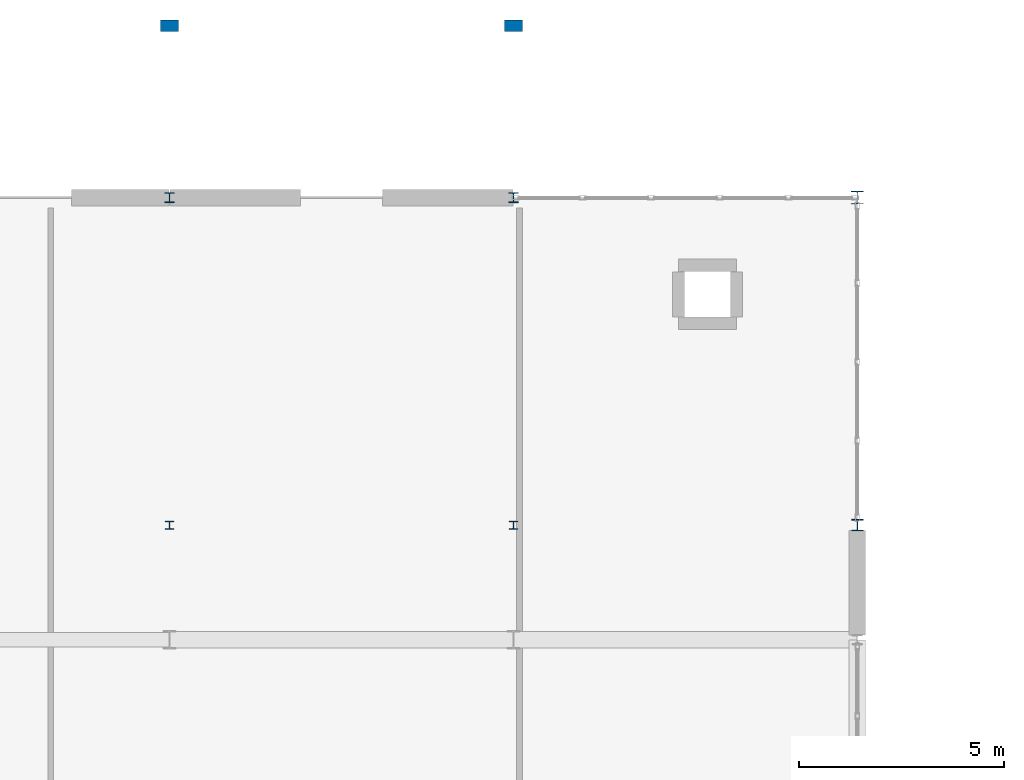
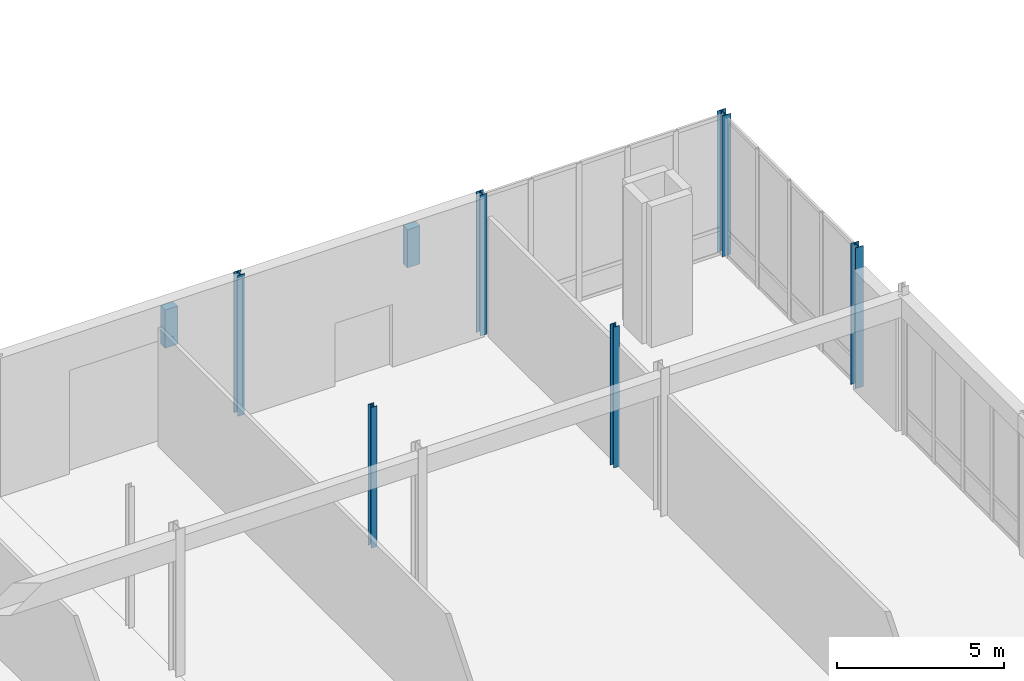
# One storey, part 15 of 169: 8 columns.
"""IFC4 building model written with IfcOpenShell, lengths in metres."""

from ifc_helpers import new_model, si_unit, direction, frame, origin, origin_2d, place, context, subcontext, project, spatial, rectangle, i_section, extrude, material, material_profile, profile_set, type_object, element, save


model = new_model("IFC4")

# Units and contexts
model_context = context("Model", 3, precision=1e-05, world=origin(), true_north=direction((0.0, 1.0)))
body_context = subcontext(model_context, "Body", "Model", "MODEL_VIEW")
ifc_project = project(units=[si_unit("LENGTHUNIT", "METRE"), si_unit("AREAUNIT", "SQUARE_METRE"), si_unit("VOLUMEUNIT", "CUBIC_METRE"), si_unit("PLANEANGLEUNIT", "RADIAN"), si_unit("MASSUNIT", "GRAM", prefix="KILO")], contexts=[model_context])

# Site, building, storey
site_placement = place(None, origin())
site = spatial("IfcSite", under=ifc_project, at=site_placement, CompositionType="ELEMENT")
building_placement = place(site_placement, origin())
building = spatial("IfcBuilding", under=site, at=building_placement, Name="Mazaris Harbour Polytechnic", CompositionType="ELEMENT")
storey_placement = place(building_placement, origin())
storey = spatial("IfcBuildingStorey", under=building, at=storey_placement, Name="L00", CompositionType="ELEMENT", Elevation=0.0)

# Columns
ifc_material_1 = material(Name="Concrete C35/45", Category="concrete")
ifc_material_profile_1 = material_profile(ifc_material_1, rectangle(XDim=0.43994140625, YDim=0.280029296875, at=origin_2d()), Name="RECT440x280")
ifc_profile_set_1 = profile_set([ifc_material_profile_1], Name="Concrete C35/45")
column_type_1 = type_object("IfcColumnType", Name="Limestone Pilaster 440x280", PredefinedType="PILASTER", material=ifc_profile_set_1)
for number, where, z_axis, x_axis, name in (
    (1, (96.0, 123.0, 0.0), (0.0, 0.0, 1.0), (1.0, 0.0, 0.0), "North Service Yard Boundary Pier 5"),
    (2, (104.39990234375, 123.0, 0.0), (0.0, 0.0, 1.0), (1.0, 0.0, 0.0), "North Service Yard Boundary Pier 6"),
):
    element("IfcColumn", number, at=place(storey_placement, frame(where, z_axis=z_axis, x_axis=x_axis)), inside=storey, type_object=column_type_1, Name=name, PredefinedType="PILASTER", context=body_context, shape_type="SweptSolid", body=[
        extrude(rectangle(XDim=0.43994140625, YDim=0.280029296875, at=origin_2d()), origin(), (0.0, 0.0, 1.0), 1.39990234375),
    ])
ifc_material_2 = material(Name="Steel S355", Category="steel")
ifc_material_profile_2 = material_profile(ifc_material_2, i_section(OverallWidth=0.199951171875, OverallDepth=0.199951171875, WebThickness=0.009033203125, FlangeThickness=0.014892578125, FilletRadius=0.01806640625, at=origin_2d()), Name="HEB 200")
ifc_profile_set_2 = profile_set([ifc_material_profile_2], Name="Steel S355")
column_type_2 = type_object("IfcColumnType", Name="Steel Column HEB200", PredefinedType="COLUMN", material=ifc_profile_set_2)
for number, where, z_axis, x_axis, name in (
    (3, (96.0, 110.800048828125, 0.0), (0.0, 0.0, 1.0), (1.0, 0.0, 0.0), "V1 L00 Column 101"),
    (4, (104.39990234375, 110.800048828125, 0.0), (0.0, 0.0, 1.0), (1.0, 0.0, 0.0), "V1 L00 Column 107"),
):
    element("IfcColumn", number, at=place(storey_placement, frame(where, z_axis=z_axis, x_axis=x_axis)), inside=storey, type_object=column_type_2, Name=name, PredefinedType="COLUMN", context=body_context, shape_type="SweptSolid", body=[
        extrude(i_section(OverallWidth=0.199951171875, OverallDepth=0.199951171875, WebThickness=0.009033203125, FlangeThickness=0.014892578125, FilletRadius=0.01806640625, at=origin_2d()), origin(), (0.0, 0.0, 1.0), 5.159912109375),
    ])
ifc_material_3 = material(Name="Steel S355", Category="steel")
ifc_material_profile_3 = material_profile(ifc_material_3, i_section(OverallWidth=0.239990234375, OverallDepth=0.239990234375, WebThickness=0.010009765625, FlangeThickness=0.01708984375, FilletRadius=0.02099609375, at=origin_2d()), Name="HEB 240")
ifc_profile_set_3 = profile_set([ifc_material_profile_3], Name="Steel S355")
column_type_3 = type_object("IfcColumnType", Name="Steel Column HEB240", PredefinedType="COLUMN", material=ifc_profile_set_3)
for number, where, z_axis, x_axis, name in (
    (5, (96.0, 118.800048828125, 0.0), (0.0, 0.0, 1.0), (1.0, 0.0, 0.0), "V1 L00 Column 102"),
    (6, (104.39990234375, 118.800048828125, 0.0), (0.0, 0.0, 1.0), (1.0, 0.0, 0.0), "V1 L00 Column 108"),
):
    element("IfcColumn", number, at=place(storey_placement, frame(where, z_axis=z_axis, x_axis=x_axis)), inside=storey, type_object=column_type_3, Name=name, PredefinedType="COLUMN", context=body_context, shape_type="SweptSolid", body=[
        extrude(i_section(OverallWidth=0.239990234375, OverallDepth=0.239990234375, WebThickness=0.010009765625, FlangeThickness=0.01708984375, FilletRadius=0.02099609375, at=origin_2d()), origin(), (0.0, 0.0, 1.0), 5.159912109375),
    ])
ifc_material_4 = material(Name="Steel S355", Category="steel")
ifc_material_profile_4 = material_profile(ifc_material_4, i_section(OverallWidth=0.280029296875, OverallDepth=0.280029296875, WebThickness=0.010498046875, FlangeThickness=0.01806640625, FilletRadius=0.02392578125, at=origin_2d()), Name="HEB 280")
ifc_profile_set_4 = profile_set([ifc_material_profile_4], Name="Steel S355")
column_type_4 = type_object("IfcColumnType", Name="Steel Column HEB280 Exterior", PredefinedType="COLUMN", material=ifc_profile_set_4)
column_1_placement = place(storey_placement, frame((112.800048828125, 110.800048828125, 0.0), z_axis=(0.0, 0.0, 1.0), x_axis=(1.0, 0.0, 0.0)))
element("IfcColumn", 7, at=column_1_placement, inside=storey, type_object=column_type_4, Name="V1 L00 Column 115", PredefinedType="COLUMN", context=body_context, shape_type="SweptSolid", body=[
    extrude(i_section(OverallWidth=0.280029296875, OverallDepth=0.280029296875, WebThickness=0.010498046875, FlangeThickness=0.01806640625, FilletRadius=0.02392578125, at=origin_2d()), origin(), (0.0, 0.0, 1.0), 5.159912109375),
])
ifc_material_5 = material(Name="Steel S355", Category="steel")
ifc_material_profile_5 = material_profile(ifc_material_5, i_section(OverallWidth=0.300048828125, OverallDepth=0.320068359375, WebThickness=0.011474609375, FlangeThickness=0.0205078125, FilletRadius=0.027099609375, at=origin_2d()), Name="HEB 320")
ifc_profile_set_5 = profile_set([ifc_material_profile_5], Name="Steel S355")
column_type_5 = type_object("IfcColumnType", Name="Steel Column HEB320", PredefinedType="COLUMN", material=ifc_profile_set_5)
column_2_placement = place(storey_placement, frame((112.800048828125, 118.800048828125, 0.0), z_axis=(0.0, 0.0, 1.0), x_axis=(1.0, 0.0, 0.0)))
element("IfcColumn", 8, at=column_2_placement, inside=storey, type_object=column_type_5, Name="V1 L00 Column 116", PredefinedType="COLUMN", context=body_context, shape_type="SweptSolid", body=[
    extrude(i_section(OverallWidth=0.300048828125, OverallDepth=0.320068359375, WebThickness=0.011474609375, FlangeThickness=0.0205078125, FilletRadius=0.027099609375, at=origin_2d()), origin(), (0.0, 0.0, 1.0), 5.159912109375),
])

save(model, "model.ifc")
